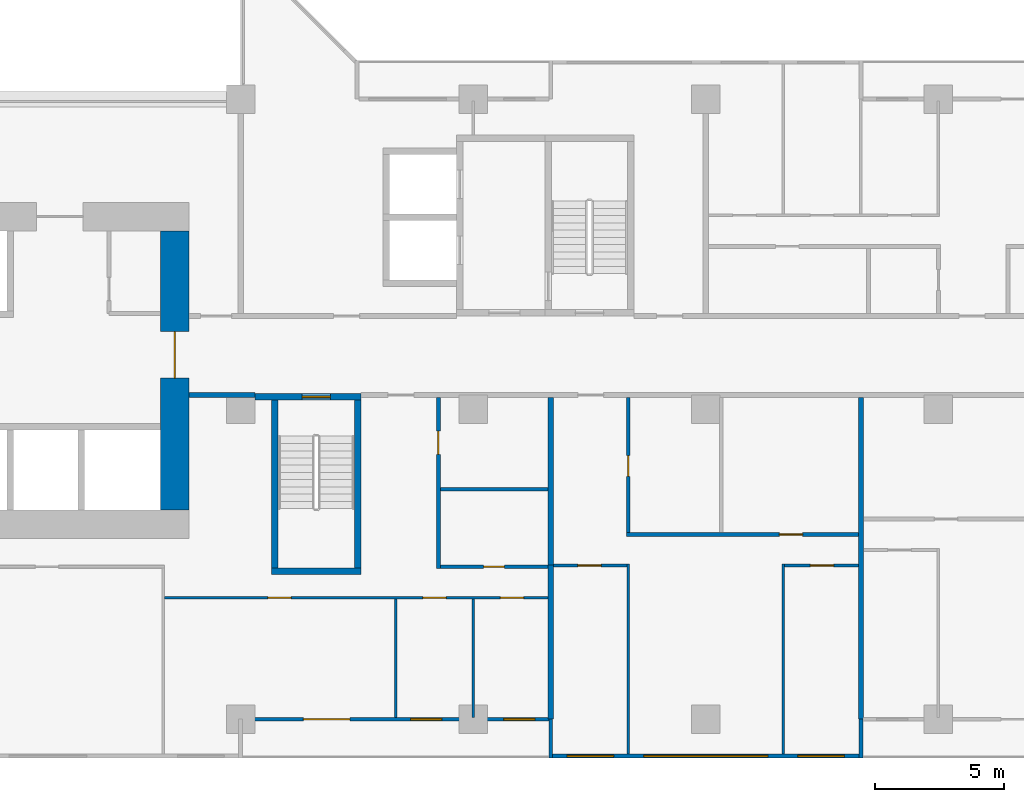
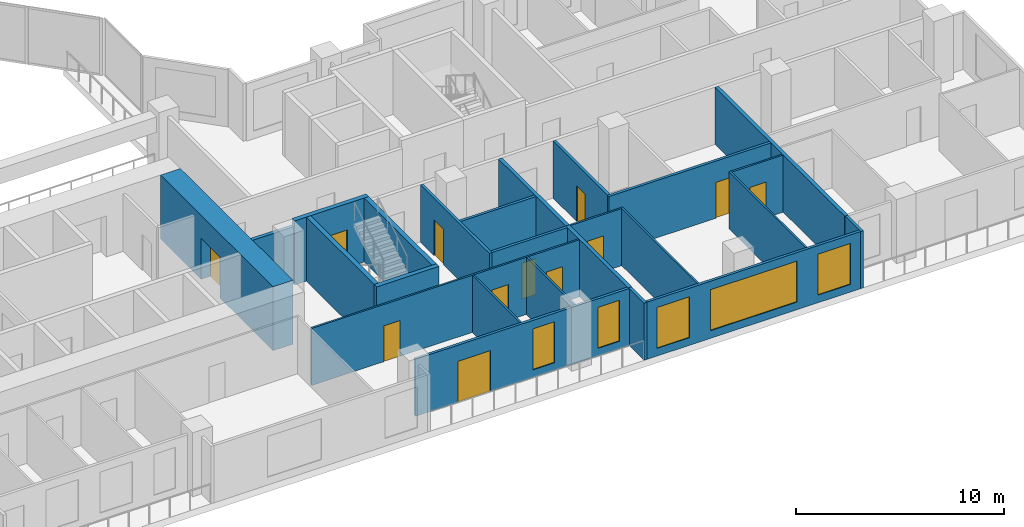
# One storey, part 6 of 15: 25 walls, 12 doors, 5 windows, 17 openings.
"""IFC4 building model written with IfcOpenShell, lengths in metres."""

from ifc_helpers import new_model, si_unit, direction, frame, frame_2d, origin, place, context, subcontext, project, spatial, rectangle, extrude, material, layer, layer_set, type_object, element, fill, save


model = new_model("IFC4")

# Units and contexts
model_context = context("Model", 3, precision=1e-05, world=origin(), true_north=direction((0.0, 1.0)))
body_context = subcontext(model_context, "Body", "Model", "MODEL_VIEW")
ifc_project = project(units=[si_unit("LENGTHUNIT", "METRE"), si_unit("AREAUNIT", "SQUARE_METRE"), si_unit("VOLUMEUNIT", "CUBIC_METRE"), si_unit("PLANEANGLEUNIT", "RADIAN"), si_unit("MASSUNIT", "GRAM", prefix="KILO")], contexts=[model_context])

# Site, building, storey
site_placement = place(None, origin())
site = spatial("IfcSite", under=ifc_project, at=site_placement, CompositionType="ELEMENT")
building_placement = place(site_placement, origin())
building = spatial("IfcBuilding", under=site, at=building_placement, Name="Chenar Terraces", CompositionType="ELEMENT")
storey_placement = place(building_placement, frame((0.0, 0.0, 60.14990234375)))
storey = spatial("IfcBuildingStorey", under=building, at=storey_placement, Name="L12", CompositionType="ELEMENT", Elevation=60.14990234375)

# Wall, opening, door
ifc_material_1 = material(Name="Concrete C70/85", Category="concrete")
ifc_layer_1 = layer(ifc_material_1, 1.10009765625)
ifc_layer_set_1 = layer_set([ifc_layer_1], Name="Concrete C70/85")
wall_type_1 = type_object("IfcWallType", Name="Core wall 1100 Concrete C70/85", PredefinedType="SHEAR", material=ifc_layer_set_1)
wall_1_placement = place(storey_placement, frame((33.449951171875, 8.10009765625, 0.0), z_axis=(0.0, 0.0, 1.0), x_axis=(0.0, 1.0, 0.0)))
wall_1 = element("IfcWall", 1, at=wall_1_placement, inside=storey, type_object=wall_type_1, Name="Core wall E L12", PredefinedType="SHEAR", context=body_context, shape_type="SweptSolid", body=[
    extrude(rectangle(XDim=10.7998046875, YDim=1.10009765625, at=frame_2d((5.39990234375, 0.0))), origin(), (0.0, 0.0, 1.0), 3.75),
])
opening_1_placement = place(wall_1_placement, frame((5.10009765625, 0.0, 0.0)))
opening_1 = element("IfcOpeningElement", 2, at=opening_1_placement, cuts=wall_1, Name="Opening DL12-C1", PredefinedType="OPENING", context=body_context, shape_type="SweptSolid", body=[
    extrude(rectangle(XDim=1.800048828125, YDim=2.39990234375, at=frame_2d((0.89990234375, 1.199951171875))), frame((0.0, 0.56005859375, 0.0), z_axis=(0.0, -1.0, 0.0), x_axis=(1.0, 0.0, 0.0)), (0.0, 0.0, 1.0), 1.1201171875),
])
ifc_material_2 = material(Name="Steel-framed fire-resisting door leaf", Category="steel")
door_type_1 = type_object("IfcDoorType", Name="Core entrance double fire door FD60 1800 x 2400", OperationType="DOUBLE_DOOR_SINGLE_SWING", PredefinedType="DOOR", material=ifc_material_2)
door_1_placement = place(opening_1_placement, origin())
door_1 = element("IfcDoor", 3, at=door_1_placement, inside=storey, type_object=door_type_1, Name="Core door DL12-C1", OperationType="DOUBLE_DOOR_SINGLE_SWING", OverallHeight=2.39990234375, OverallWidth=1.800048828125, PredefinedType="DOOR", context=body_context, shape_type="SweptSolid", body=[
    extrude(rectangle(XDim=1.800048828125, YDim=2.39990234375, at=frame_2d((0.89990234375, 1.199951171875))), frame((0.0, 0.02490234375, 0.0), z_axis=(0.0, -1.0, 0.0), x_axis=(1.0, 0.0, 0.0)), (0.0, 0.0, 1.0), 0.050048828125),
])
fill(opening_1, door_1)

# Wall
ifc_material_3 = material(Name="Concrete C70/85", Category="concrete")
ifc_layer_2 = layer(ifc_material_3, 0.25)
ifc_layer_set_2 = layer_set([ifc_layer_2], Name="Concrete C70/85")
wall_type_2 = type_object("IfcWallType", Name="Core wall 250 Concrete C70/85", PredefinedType="SHEAR", material=ifc_layer_set_2)
wall_2_placement = place(storey_placement, frame((37.199951171875, 5.72509765625, 0.0), z_axis=(0.0, 0.0, 1.0), x_axis=(1.0, 0.0, 0.0)))
element("IfcWall", 4, at=wall_2_placement, inside=storey, type_object=wall_type_2, Name="Core wall ST2_S L12", PredefinedType="SHEAR", context=body_context, shape_type="SweptSolid", body=[
    extrude(rectangle(XDim=3.449951171875, YDim=0.25, at=frame_2d((1.72509765625, 0.0))), origin(), (0.0, 0.0, 1.0), 3.75),
])

# Wall, opening, door
wall_3_placement = place(storey_placement, frame((36.550048828125, 12.47509765625, 0.0), z_axis=(0.0, 0.0, 1.0), x_axis=(1.0, 0.0, 0.0)))
wall_3 = element("IfcWall", 5, at=wall_3_placement, inside=storey, type_object=wall_type_2, Name="Core wall ST2_N L12", PredefinedType="SHEAR", context=body_context, shape_type="SweptSolid", body=[
    extrude(rectangle(XDim=4.099853515625, YDim=0.25, at=frame_2d((2.0498046875, 0.0))), origin(), (0.0, 0.0, 1.0), 3.75),
])
opening_2_placement = place(wall_3_placement, frame((1.824951171875, 0.0, 0.0)))
opening_2 = element("IfcOpeningElement", 6, at=opening_2_placement, cuts=wall_3, Name="Opening DL12-C7", PredefinedType="OPENING", context=body_context, shape_type="SweptSolid", body=[
    extrude(rectangle(XDim=1.10009765625, YDim=2.199951171875, at=frame_2d((0.550048828125, 1.10009765625))), frame((0.0, 0.135009765625, 0.0), z_axis=(0.0, -1.0, 0.0), x_axis=(1.0, 0.0, 0.0)), (0.0, 0.0, 1.0), 0.27001953125),
])
ifc_material_4 = material(Name="Steel-framed fire-resisting door leaf", Category="steel")
door_type_2 = type_object("IfcDoorType", Name="Stair fire door FD60 1100 x 2200", OperationType="SINGLE_SWING_LEFT", PredefinedType="DOOR", material=ifc_material_4)
door_2_placement = place(opening_2_placement, frame((1.10009765625, 0.0, 0.0), z_axis=(0.0, 0.0, 1.0), x_axis=(-1.0, 0.0, 0.0)))
door_2 = element("IfcDoor", 7, at=door_2_placement, inside=storey, type_object=door_type_2, Name="Stair door DL12-C7", OperationType="SINGLE_SWING_LEFT", OverallHeight=2.199951171875, OverallWidth=1.10009765625, PredefinedType="DOOR", context=body_context, shape_type="SweptSolid", body=[
    extrude(rectangle(XDim=1.10009765625, YDim=2.199951171875, at=frame_2d((0.550048828125, 1.10009765625))), frame((0.0, 0.02490234375, 0.0), z_axis=(0.0, -1.0, 0.0), x_axis=(1.0, 0.0, 0.0)), (0.0, 0.0, 1.0), 0.050048828125),
])
fill(opening_2, door_2)

# Walls
for number, where, z_axis, x_axis, name in (
    (8, (37.324951171875, 5.85009765625, 0.0), (0.0, 0.0, 1.0), (0.0, 1.0, 0.0), "Core wall ST2_W L12"),
    (9, (40.52490234375, 5.85009765625, 0.0), (0.0, 0.0, 1.0), (0.0, 1.0, 0.0), "Core wall ST2_E L12"),
):
    element("IfcWall", number, at=place(storey_placement, frame(where, z_axis=z_axis, x_axis=x_axis)), inside=storey, type_object=wall_type_2, Name=name, PredefinedType="SHEAR", context=body_context, shape_type="SweptSolid", body=[
        extrude(rectangle(XDim=6.5, YDim=0.25, at=frame_2d((3.25, 0.0))), origin(), (0.0, 0.0, 1.0), 3.75),
    ])
ifc_material_5 = material(Name="Gypsum board on steel studs with fire boards", Category="steel")
ifc_layer_3 = layer(ifc_material_5, 0.199951171875)
ifc_layer_set_3 = layer_set([ifc_layer_3], Name="Gypsum board on steel studs with fire boards")
wall_type_3 = type_object("IfcWallType", Name="Corridor wall 200", PredefinedType="PARTITIONING", material=ifc_layer_set_3)
wall_4_placement = place(storey_placement, frame((34.0, 12.550048828125, 0.0), z_axis=(0.0, 0.0, 1.0), x_axis=(1.0, 0.0, 0.0)))
element("IfcWall", 10, at=wall_4_placement, inside=storey, type_object=wall_type_3, Name="Partition L12-061", PredefinedType="PARTITIONING", context=body_context, shape_type="SweptSolid", body=[
    extrude(rectangle(XDim=2.551025390625, YDim=0.199951171875, at=frame_2d((1.275390625, 0.0))), origin(), (0.0, 0.0, 1.0), 3.35009765625),
])

# Wall, openings, windows
ifc_material_6 = material(Name="Aluminium framed glazing", Category="aluminium")
ifc_layer_4 = layer(ifc_material_6, 0.14990234375)
ifc_layer_set_4 = layer_set([ifc_layer_4], Name="Aluminium framed glazing")
wall_type_4 = type_object("IfcWallType", Name="Glazed flush facade wall 150", PredefinedType="SOLIDWALL", material=ifc_layer_set_4)
wall_5_placement = place(storey_placement, frame((48.074951171875, -1.425048828125, 0.0), z_axis=(0.0, 0.0, 1.0), x_axis=(1.0, 0.0, 0.0)))
wall_5 = element("IfcWall", 11, at=wall_5_placement, inside=storey, type_object=wall_type_4, Name="Glazed flush facade wall", PredefinedType="SOLIDWALL", context=body_context, shape_type="SweptSolid", body=[
    extrude(rectangle(XDim=11.85009765625, YDim=0.14990234375, at=frame_2d((5.925048828125, 0.0))), origin(), (0.0, 0.0, 1.0), 3.35009765625),
])
opening_3_placement = place(wall_5_placement, frame((0.5625, 0.0, 0.449951171875)))
opening_3 = element("IfcOpeningElement", 12, at=opening_3_placement, cuts=wall_5, Name="Opening W180x240", PredefinedType="OPENING", context=body_context, shape_type="SweptSolid", body=[
    extrude(rectangle(XDim=1.800048828125, YDim=2.39990234375, at=frame_2d((0.89990234375, 1.199951171875))), frame((0.0, 0.0849609375, 0.0), z_axis=(0.0, -1.0, 0.0), x_axis=(1.0, 0.0, 0.0)), (0.0, 0.0, 1.0), 0.169921875),
])
opening_4_placement = place(wall_5_placement, frame((3.52490234375, 0.0, 0.449951171875)))
opening_4 = element("IfcOpeningElement", 13, at=opening_4_placement, cuts=wall_5, Name="Opening W480x240", PredefinedType="OPENING", context=body_context, shape_type="SweptSolid", body=[
    extrude(rectangle(XDim=4.800048828125, YDim=2.39990234375, at=frame_2d((2.39990234375, 1.199951171875))), frame((0.0, 0.0849609375, 0.0), z_axis=(0.0, -1.0, 0.0), x_axis=(1.0, 0.0, 0.0)), (0.0, 0.0, 1.0), 0.169921875),
])
opening_5_placement = place(wall_5_placement, frame((9.487548828125, 0.0, 0.449951171875)))
opening_5 = element("IfcOpeningElement", 14, at=opening_5_placement, cuts=wall_5, Name="Opening W180x240", PredefinedType="OPENING", context=body_context, shape_type="SweptSolid", body=[
    extrude(rectangle(XDim=1.800048828125, YDim=2.39990234375, at=frame_2d((0.89990234375, 1.199951171875))), frame((0.0, 0.0849609375, 0.0), z_axis=(0.0, -1.0, 0.0), x_axis=(1.0, 0.0, 0.0)), (0.0, 0.0, 1.0), 0.169921875),
])
ifc_material_7 = material(Name="Low emissivity double glazing, aluminium frame", Category="aluminium")
window_type_1 = type_object("IfcWindowType", Name="Fixed light 1800 x 2400", PartitioningType="SINGLE_PANEL", PredefinedType="WINDOW", material=ifc_material_7)
window_1_placement = place(opening_3_placement, origin())
window_1 = element("IfcWindow", 15, at=window_1_placement, inside=storey, type_object=window_type_1, Name="Window", OverallHeight=2.39990234375, OverallWidth=1.800048828125, PartitioningType="SINGLE_PANEL", PredefinedType="WINDOW", context=body_context, shape_type="SweptSolid", body=[
    extrude(rectangle(XDim=1.800048828125, YDim=2.39990234375, at=frame_2d((0.89990234375, 1.199951171875))), frame((0.0, 0.030029296875, 0.0), z_axis=(0.0, -1.0, 0.0), x_axis=(1.0, 0.0, 0.0)), (0.0, 0.0, 1.0), 0.06005859375),
])
fill(opening_3, window_1)
window_2_placement = place(opening_5_placement, origin())
window_2 = element("IfcWindow", 16, at=window_2_placement, inside=storey, type_object=window_type_1, Name="Window", OverallHeight=2.39990234375, OverallWidth=1.800048828125, PartitioningType="SINGLE_PANEL", PredefinedType="WINDOW", context=body_context, shape_type="SweptSolid", body=[
    extrude(rectangle(XDim=1.800048828125, YDim=2.39990234375, at=frame_2d((0.89990234375, 1.199951171875))), frame((0.0, 0.030029296875, 0.0), z_axis=(0.0, -1.0, 0.0), x_axis=(1.0, 0.0, 0.0)), (0.0, 0.0, 1.0), 0.06005859375),
])
fill(opening_5, window_2)
ifc_material_8 = material(Name="Low emissivity double glazing, aluminium frame", Category="aluminium")
window_type_2 = type_object("IfcWindowType", Name="Fixed light 4800 x 2400", PartitioningType="SINGLE_PANEL", PredefinedType="WINDOW", material=ifc_material_8)
window_3_placement = place(opening_4_placement, origin())
window_3 = element("IfcWindow", 17, at=window_3_placement, inside=storey, type_object=window_type_2, Name="Window", OverallHeight=2.39990234375, OverallWidth=4.800048828125, PartitioningType="SINGLE_PANEL", PredefinedType="WINDOW", context=body_context, shape_type="SweptSolid", body=[
    extrude(rectangle(XDim=4.800048828125, YDim=2.39990234375, at=frame_2d((2.39990234375, 1.199951171875))), frame((0.0, 0.030029296875, 0.0), z_axis=(0.0, -1.0, 0.0), x_axis=(1.0, 0.0, 0.0)), (0.0, 0.0, 1.0), 0.06005859375),
])
fill(opening_4, window_3)

# Wall, openings, windows, door
ifc_material_9 = material(Name="Aluminium framed glazing", Category="aluminium")
ifc_layer_5 = layer(ifc_material_9, 0.14990234375)
ifc_layer_set_5 = layer_set([ifc_layer_5], Name="Aluminium framed glazing")
wall_type_5 = type_object("IfcWallType", Name="Glazed loggia back wall 150", PredefinedType="SOLIDWALL", material=ifc_layer_set_5)
wall_6_placement = place(storey_placement, frame((36.074951171875, 0.0, 0.0), z_axis=(0.0, 0.0, 1.0), x_axis=(1.0, 0.0, 0.0)))
wall_6 = element("IfcWall", 18, at=wall_6_placement, inside=storey, type_object=wall_type_5, Name="Glazed loggia back wall", PredefinedType="SOLIDWALL", context=body_context, shape_type="SweptSolid", body=[
    extrude(rectangle(XDim=11.85009765625, YDim=0.14990234375, at=frame_2d((5.925048828125, 0.0))), origin(), (0.0, 0.0, 1.0), 3.35009765625),
])
opening_6_placement = place(wall_6_placement, frame((2.35009765625, 0.0, 0.0)))
opening_6 = element("IfcOpeningElement", 19, at=opening_6_placement, cuts=wall_6, Name="Opening DL12-G6", PredefinedType="OPENING", context=body_context, shape_type="SweptSolid", body=[
    extrude(rectangle(XDim=1.800048828125, YDim=2.39990234375, at=frame_2d((0.89990234375, 1.199951171875))), frame((0.0, 0.0849609375, 0.0), z_axis=(0.0, -1.0, 0.0), x_axis=(1.0, 0.0, 0.0)), (0.0, 0.0, 1.0), 0.169921875),
])
opening_7_placement = place(wall_6_placement, frame((6.5, 0.0, 0.449951171875)))
opening_7 = element("IfcOpeningElement", 20, at=opening_7_placement, cuts=wall_6, Name="Opening W120x240", PredefinedType="OPENING", context=body_context, shape_type="SweptSolid", body=[
    extrude(rectangle(XDim=1.199951171875, YDim=2.39990234375, at=frame_2d((0.60009765625, 1.199951171875))), frame((0.0, 0.0849609375, 0.0), z_axis=(0.0, -1.0, 0.0), x_axis=(1.0, 0.0, 0.0)), (0.0, 0.0, 1.0), 0.169921875),
])
opening_8_placement = place(wall_6_placement, frame((10.112548828125, 0.0, 0.449951171875)))
opening_8 = element("IfcOpeningElement", 21, at=opening_8_placement, cuts=wall_6, Name="Opening W120x240", PredefinedType="OPENING", context=body_context, shape_type="SweptSolid", body=[
    extrude(rectangle(XDim=1.199951171875, YDim=2.39990234375, at=frame_2d((0.60009765625, 1.199951171875))), frame((0.0, 0.0849609375, 0.0), z_axis=(0.0, -1.0, 0.0), x_axis=(1.0, 0.0, 0.0)), (0.0, 0.0, 1.0), 0.169921875),
])
ifc_material_10 = material(Name="Low emissivity double glazing, aluminium frame", Category="aluminium")
window_type_3 = type_object("IfcWindowType", Name="Fixed light 1200 x 2400", PartitioningType="SINGLE_PANEL", PredefinedType="WINDOW", material=ifc_material_10)
window_4_placement = place(opening_7_placement, origin())
window_4 = element("IfcWindow", 22, at=window_4_placement, inside=storey, type_object=window_type_3, Name="Window", OverallHeight=2.39990234375, OverallWidth=1.199951171875, PartitioningType="SINGLE_PANEL", PredefinedType="WINDOW", context=body_context, shape_type="SweptSolid", body=[
    extrude(rectangle(XDim=1.199951171875, YDim=2.39990234375, at=frame_2d((0.60009765625, 1.199951171875))), frame((0.0, 0.030029296875, 0.0), z_axis=(0.0, -1.0, 0.0), x_axis=(1.0, 0.0, 0.0)), (0.0, 0.0, 1.0), 0.06005859375),
])
fill(opening_7, window_4)
window_5_placement = place(opening_8_placement, origin())
window_5 = element("IfcWindow", 23, at=window_5_placement, inside=storey, type_object=window_type_3, Name="Window", OverallHeight=2.39990234375, OverallWidth=1.199951171875, PartitioningType="SINGLE_PANEL", PredefinedType="WINDOW", context=body_context, shape_type="SweptSolid", body=[
    extrude(rectangle(XDim=1.199951171875, YDim=2.39990234375, at=frame_2d((0.60009765625, 1.199951171875))), frame((0.0, 0.030029296875, 0.0), z_axis=(0.0, -1.0, 0.0), x_axis=(1.0, 0.0, 0.0)), (0.0, 0.0, 1.0), 0.06005859375),
])
fill(opening_8, window_5)
ifc_material_11 = material(Name="Low emissivity double glazing, aluminium frame", Category="aluminium")
door_type_3 = type_object("IfcDoorType", Name="Loggia glazed double door 1800 x 2400", OperationType="DOUBLE_DOOR_SINGLE_SWING", PredefinedType="DOOR", material=ifc_material_11)
door_3_placement = place(opening_6_placement, frame((1.800048828125, 0.0, 0.0), z_axis=(0.0, 0.0, 1.0), x_axis=(-1.0, 0.0, 0.0)))
door_3 = element("IfcDoor", 24, at=door_3_placement, inside=storey, type_object=door_type_3, Name="Loggia glazed door", OperationType="DOUBLE_DOOR_SINGLE_SWING", OverallHeight=2.39990234375, OverallWidth=1.800048828125, PredefinedType="DOOR", context=body_context, shape_type="SweptSolid", body=[
    extrude(rectangle(XDim=1.800048828125, YDim=2.39990234375, at=frame_2d((0.89990234375, 1.199951171875))), frame((0.0, 0.02490234375, 0.0), z_axis=(0.0, -1.0, 0.0), x_axis=(1.0, 0.0, 0.0)), (0.0, 0.0, 1.0), 0.050048828125),
])
fill(opening_6, door_3)

# Wall, openings, doors
ifc_material_12 = material(Name="Gypsum board on steel studs", Category="steel")
ifc_layer_6 = layer(ifc_material_12, 0.10009765625)
ifc_layer_set_6 = layer_set([ifc_layer_6], Name="Gypsum board on steel studs")
wall_type_6 = type_object("IfcWallType", Name="Gypsum partition 100", PredefinedType="PARTITIONING", material=ifc_layer_set_6)
wall_7_placement = place(storey_placement, frame((33.050048828125, 4.699951171875, 0.0), z_axis=(0.0, 0.0, 1.0), x_axis=(1.0, 0.0, 0.0)))
wall_7 = element("IfcWall", 25, at=wall_7_placement, inside=storey, type_object=wall_type_6, Name="Partition L12-060", PredefinedType="PARTITIONING", context=body_context, shape_type="SweptSolid", body=[
    extrude(rectangle(XDim=14.849853515625, YDim=0.10009765625, at=frame_2d((7.4248046875, 0.0))), origin(), (0.0, 0.0, 1.0), 3.35009765625),
])
opening_9_placement = place(wall_7_placement, frame((10.0, 0.0, 0.0)))
opening_9 = element("IfcOpeningElement", 26, at=opening_9_placement, cuts=wall_7, Name="Opening DL12-60", PredefinedType="OPENING", context=body_context, shape_type="SweptSolid", body=[
    extrude(rectangle(XDim=0.89990234375, YDim=2.10009765625, at=frame_2d((0.449951171875, 1.050048828125))), frame((0.0, 0.06005859375, 0.0), z_axis=(0.0, -1.0, 0.0), x_axis=(1.0, 0.0, 0.0)), (0.0, 0.0, 1.0), 0.1201171875),
])
opening_10_placement = place(wall_7_placement, frame((13.0, 0.0, 0.0)))
opening_10 = element("IfcOpeningElement", 27, at=opening_10_placement, cuts=wall_7, Name="Opening DL12-61", PredefinedType="OPENING", context=body_context, shape_type="SweptSolid", body=[
    extrude(rectangle(XDim=0.89990234375, YDim=2.10009765625, at=frame_2d((0.449951171875, 1.050048828125))), frame((0.0, 0.06005859375, 0.0), z_axis=(0.0, -1.0, 0.0), x_axis=(1.0, 0.0, 0.0)), (0.0, 0.0, 1.0), 0.1201171875),
])
opening_11_placement = place(wall_7_placement, frame((4.0, 0.0, 0.0)))
opening_11 = element("IfcOpeningElement", 28, at=opening_11_placement, cuts=wall_7, Name="Opening DL12-67", PredefinedType="OPENING", context=body_context, shape_type="SweptSolid", body=[
    extrude(rectangle(XDim=0.89990234375, YDim=2.10009765625, at=frame_2d((0.449951171875, 1.050048828125))), frame((0.0, 0.06005859375, 0.0), z_axis=(0.0, -1.0, 0.0), x_axis=(1.0, 0.0, 0.0)), (0.0, 0.0, 1.0), 0.1201171875),
])
ifc_material_13 = material(Name="Veneered timber door leaf", Category="wood")
door_type_4 = type_object("IfcDoorType", Name="Door 900 x 2100", OperationType="SINGLE_SWING_LEFT", PredefinedType="DOOR", material=ifc_material_13)
door_4_placement = place(opening_9_placement, frame((0.89990234375, 0.0, 0.0), z_axis=(0.0, 0.0, 1.0), x_axis=(-1.0, 0.0, 0.0)))
door_4 = element("IfcDoor", 29, at=door_4_placement, inside=storey, type_object=door_type_4, Name="Door DL12-60", OperationType="SINGLE_SWING_LEFT", OverallHeight=2.10009765625, OverallWidth=0.89990234375, PredefinedType="DOOR", context=body_context, shape_type="SweptSolid", body=[
    extrude(rectangle(XDim=0.89990234375, YDim=2.10009765625, at=frame_2d((0.449951171875, 1.050048828125))), frame((0.0, 0.02490234375, 0.0), z_axis=(0.0, -1.0, 0.0), x_axis=(1.0, 0.0, 0.0)), (0.0, 0.0, 1.0), 0.050048828125),
])
fill(opening_9, door_4)
door_5_placement = place(opening_10_placement, frame((0.89990234375, 0.0, 0.0), z_axis=(0.0, 0.0, 1.0), x_axis=(-1.0, 0.0, 0.0)))
door_5 = element("IfcDoor", 30, at=door_5_placement, inside=storey, type_object=door_type_4, Name="Door DL12-61", OperationType="SINGLE_SWING_LEFT", OverallHeight=2.10009765625, OverallWidth=0.89990234375, PredefinedType="DOOR", context=body_context, shape_type="SweptSolid", body=[
    extrude(rectangle(XDim=0.89990234375, YDim=2.10009765625, at=frame_2d((0.449951171875, 1.050048828125))), frame((0.0, 0.02490234375, 0.0), z_axis=(0.0, -1.0, 0.0), x_axis=(1.0, 0.0, 0.0)), (0.0, 0.0, 1.0), 0.050048828125),
])
fill(opening_10, door_5)
door_6_placement = place(opening_11_placement, frame((0.89990234375, 0.0, 0.0), z_axis=(0.0, 0.0, 1.0), x_axis=(-1.0, 0.0, 0.0)))
door_6 = element("IfcDoor", 31, at=door_6_placement, inside=storey, type_object=door_type_4, Name="Door DL12-67", OperationType="SINGLE_SWING_LEFT", OverallHeight=2.10009765625, OverallWidth=0.89990234375, PredefinedType="DOOR", context=body_context, shape_type="SweptSolid", body=[
    extrude(rectangle(XDim=0.89990234375, YDim=2.10009765625, at=frame_2d((0.449951171875, 1.050048828125))), frame((0.0, 0.02490234375, 0.0), z_axis=(0.0, -1.0, 0.0), x_axis=(1.0, 0.0, 0.0)), (0.0, 0.0, 1.0), 0.050048828125),
])
fill(opening_11, door_6)

# Walls
for number, where, z_axis, x_axis, name in (
    (32, (42.0, 0.073974609375, 0.0), (0.0, 0.0, 1.0), (0.0, 1.0, 0.0), "Partition L12-065"),
    (33, (45.0, 0.073974609375, 0.0), (0.0, 0.0, 1.0), (0.0, 1.0, 0.0), "Partition L12-069"),
):
    element("IfcWall", number, at=place(storey_placement, frame(where, z_axis=z_axis, x_axis=x_axis)), inside=storey, type_object=wall_type_6, Name=name, PredefinedType="PARTITIONING", context=body_context, shape_type="SweptSolid", body=[
        extrude(rectangle(XDim=4.575927734375, YDim=0.10009765625, at=frame_2d((2.2880859375, 0.0))), origin(), (0.0, 0.0, 1.0), 3.35009765625),
    ])

# Wall, opening, door
wall_8_placement = place(storey_placement, frame((48.10009765625, 5.949951171875, 0.0), z_axis=(0.0, 0.0, 1.0), x_axis=(1.0, 0.0, 0.0)))
wall_8 = element("IfcWall", 34, at=wall_8_placement, inside=storey, type_object=wall_type_6, Name="Partition L12-073", PredefinedType="PARTITIONING", context=body_context, shape_type="SweptSolid", body=[
    extrude(rectangle(XDim=2.849853515625, YDim=0.10009765625, at=frame_2d((1.4248046875, 0.0))), origin(), (0.0, 0.0, 1.0), 3.35009765625),
])
opening_12_placement = place(wall_8_placement, frame((0.949951171875, 0.0, 0.0)))
opening_12 = element("IfcOpeningElement", 35, at=opening_12_placement, cuts=wall_8, Name="Opening DL12-14", PredefinedType="OPENING", context=body_context, shape_type="SweptSolid", body=[
    extrude(rectangle(XDim=0.89990234375, YDim=2.10009765625, at=frame_2d((0.449951171875, 1.050048828125))), frame((0.0, 0.06005859375, 0.0), z_axis=(0.0, -1.0, 0.0), x_axis=(1.0, 0.0, 0.0)), (0.0, 0.0, 1.0), 0.1201171875),
])
door_7_placement = place(opening_12_placement, frame((0.89990234375, 0.0, 0.0), z_axis=(0.0, 0.0, 1.0), x_axis=(-1.0, 0.0, 0.0)))
door_7 = element("IfcDoor", 36, at=door_7_placement, inside=storey, type_object=door_type_4, Name="Door DL12-14", OperationType="SINGLE_SWING_LEFT", OverallHeight=2.10009765625, OverallWidth=0.89990234375, PredefinedType="DOOR", context=body_context, shape_type="SweptSolid", body=[
    extrude(rectangle(XDim=0.89990234375, YDim=2.10009765625, at=frame_2d((0.449951171875, 1.050048828125))), frame((0.0, 0.02490234375, 0.0), z_axis=(0.0, -1.0, 0.0), x_axis=(1.0, 0.0, 0.0)), (0.0, 0.0, 1.0), 0.050048828125),
])
fill(opening_12, door_7)

# Walls
for number, where, z_axis, x_axis, name in (
    (37, (51.0, -1.35009765625, 0.0), (0.0, 0.0, 1.0), (0.0, 1.0, 0.0), "Partition L12-075"),
    (38, (57.0, -1.35009765625, 0.0), (0.0, 0.0, 1.0), (0.0, 1.0, 0.0), "Partition L12-082"),
):
    element("IfcWall", number, at=place(storey_placement, frame(where, z_axis=z_axis, x_axis=x_axis)), inside=storey, type_object=wall_type_6, Name=name, PredefinedType="PARTITIONING", context=body_context, shape_type="SweptSolid", body=[
        extrude(rectangle(XDim=7.35009765625, YDim=0.10009765625, at=frame_2d((3.675048828125, 0.0))), origin(), (0.0, 0.0, 1.0), 3.35009765625),
    ])

# Wall, opening, door
wall_9_placement = place(storey_placement, frame((57.050048828125, 5.949951171875, 0.0), z_axis=(0.0, 0.0, 1.0), x_axis=(1.0, 0.0, 0.0)))
wall_9 = element("IfcWall", 39, at=wall_9_placement, inside=storey, type_object=wall_type_6, Name="Partition L12-084", PredefinedType="PARTITIONING", context=body_context, shape_type="SweptSolid", body=[
    extrude(rectangle(XDim=2.849853515625, YDim=0.10009765625, at=frame_2d((1.4248046875, 0.0))), origin(), (0.0, 0.0, 1.0), 3.35009765625),
])
opening_13_placement = place(wall_9_placement, frame((1.0, 0.0, 0.0)))
opening_13 = element("IfcOpeningElement", 40, at=opening_13_placement, cuts=wall_9, Name="Opening DL12-15", PredefinedType="OPENING", context=body_context, shape_type="SweptSolid", body=[
    extrude(rectangle(XDim=0.89990234375, YDim=2.10009765625, at=frame_2d((0.449951171875, 1.050048828125))), frame((0.0, 0.06005859375, 0.0), z_axis=(0.0, -1.0, 0.0), x_axis=(1.0, 0.0, 0.0)), (0.0, 0.0, 1.0), 0.1201171875),
])
door_8_placement = place(opening_13_placement, frame((0.89990234375, 0.0, 0.0), z_axis=(0.0, 0.0, 1.0), x_axis=(-1.0, 0.0, 0.0)))
door_8 = element("IfcDoor", 41, at=door_8_placement, inside=storey, type_object=door_type_4, Name="Door DL12-15", OperationType="SINGLE_SWING_LEFT", OverallHeight=2.10009765625, OverallWidth=0.89990234375, PredefinedType="DOOR", context=body_context, shape_type="SweptSolid", body=[
    extrude(rectangle(XDim=0.89990234375, YDim=2.10009765625, at=frame_2d((0.449951171875, 1.050048828125))), frame((0.0, 0.02490234375, 0.0), z_axis=(0.0, -1.0, 0.0), x_axis=(1.0, 0.0, 0.0)), (0.0, 0.0, 1.0), 0.050048828125),
])
fill(opening_13, door_8)

# Walls
ifc_material_14 = material(Name="Terracotta cladding on insulated backing", Category="masonry")
ifc_layer_7 = layer(ifc_material_14, 0.14990234375)
ifc_layer_set_7 = layer_set([ifc_layer_7], Name="Terracotta cladding on insulated backing")
wall_type_7 = type_object("IfcWallType", Name="Loggia return wall 150", PredefinedType="SOLIDWALL", material=ifc_layer_set_7)
for number, where, z_axis, x_axis, name in (
    (42, (48.0, -1.5, 0.0), (0.0, 0.0, 1.0), (0.0, 1.0, 0.0), "Loggia return wall"),
    (43, (60.0, -1.5, 0.0), (0.0, 0.0, 1.0), (0.0, 1.0, 0.0), "Loggia return wall"),
):
    element("IfcWall", number, at=place(storey_placement, frame(where, z_axis=z_axis, x_axis=x_axis)), inside=storey, type_object=wall_type_7, Name=name, PredefinedType="SOLIDWALL", context=body_context, shape_type="SweptSolid", body=[
        extrude(rectangle(XDim=1.5, YDim=0.14990234375, at=frame_2d((0.75, 0.0))), origin(), (0.0, 0.0, 1.0), 3.35009765625),
    ])
ifc_material_15 = material(Name="Twin gypsum board on steel studs with mineral wool", Category="steel")
ifc_layer_8 = layer(ifc_material_15, 0.199951171875)
ifc_layer_set_8 = layer_set([ifc_layer_8], Name="Twin gypsum board on steel studs with mineral wool")
wall_type_8 = type_object("IfcWallType", Name="Unit demising wall 200", PredefinedType="PARTITIONING", material=ifc_layer_set_8)
wall_10_placement = place(storey_placement, frame((48.0, 0.0, 0.0), z_axis=(0.0, 0.0, 1.0), x_axis=(0.0, 1.0, 0.0)))
element("IfcWall", 44, at=wall_10_placement, inside=storey, type_object=wall_type_8, Name="Partition L12-071", PredefinedType="PARTITIONING", context=body_context, shape_type="SweptSolid", body=[
    extrude(rectangle(XDim=5.97509765625, YDim=0.199951171875, at=frame_2d((2.987548828125, 0.0))), origin(), (0.0, 0.0, 1.0), 3.35009765625),
])
wall_11_placement = place(storey_placement, frame((48.0, 5.89990234375, 0.0), z_axis=(0.0, 0.0, 1.0), x_axis=(0.0, 1.0, 0.0)))
element("IfcWall", 45, at=wall_11_placement, inside=storey, type_object=wall_type_8, Name="Partition L12-072", PredefinedType="PARTITIONING", context=body_context, shape_type="SweptSolid", body=[
    extrude(rectangle(XDim=6.550048828125, YDim=0.199951171875, at=frame_2d((3.27490234375, 0.0))), origin(), (0.0, 0.0, 1.0), 3.35009765625),
])
wall_12_placement = place(storey_placement, frame((60.0, 0.0, 0.0), z_axis=(0.0, 0.0, 1.0), x_axis=(0.0, 1.0, 0.0)))
element("IfcWall", 46, at=wall_12_placement, inside=storey, type_object=wall_type_8, Name="Partition L12-085", PredefinedType="PARTITIONING", context=body_context, shape_type="SweptSolid", body=[
    extrude(rectangle(XDim=12.449951171875, YDim=0.199951171875, at=frame_2d((6.22509765625, 0.0))), origin(), (0.0, 0.0, 1.0), 3.35009765625),
])

# Wall, opening, door
ifc_material_16 = material(Name="Moisture-resistant gypsum board on steel studs", Category="steel")
ifc_layer_9 = layer(ifc_material_16, 0.14990234375)
ifc_layer_set_9 = layer_set([ifc_layer_9], Name="Moisture-resistant gypsum board on steel studs")
wall_type_9 = type_object("IfcWallType", Name="Wet-room partition 150", PredefinedType="PARTITIONING", material=ifc_layer_set_9)
wall_13_placement = place(storey_placement, frame((43.64990234375, 5.824951171875, 0.0), z_axis=(0.0, 0.0, 1.0), x_axis=(0.0, 1.0, 0.0)))
wall_13 = element("IfcWall", 47, at=wall_13_placement, inside=storey, type_object=wall_type_9, Name="Partition L12-066", PredefinedType="PARTITIONING", context=body_context, shape_type="SweptSolid", body=[
    extrude(rectangle(XDim=6.625, YDim=0.14990234375, at=frame_2d((3.3125, 0.0))), origin(), (0.0, 0.0, 1.0), 3.35009765625),
])
opening_14_placement = place(wall_13_placement, frame((4.425048828125, 0.0, 0.0)))
opening_14 = element("IfcOpeningElement", 48, at=opening_14_placement, cuts=wall_13, Name="Opening DL12-65", PredefinedType="OPENING", context=body_context, shape_type="SweptSolid", body=[
    extrude(rectangle(XDim=0.89990234375, YDim=2.10009765625, at=frame_2d((0.449951171875, 1.050048828125))), frame((0.0, 0.0849609375, 0.0), z_axis=(0.0, -1.0, 0.0), x_axis=(1.0, 0.0, 0.0)), (0.0, 0.0, 1.0), 0.169921875),
])
door_9_placement = place(opening_14_placement, frame((0.89990234375, 0.0, 0.0), z_axis=(0.0, 0.0, 1.0), x_axis=(-1.0, 0.0, 0.0)))
door_9 = element("IfcDoor", 49, at=door_9_placement, inside=storey, type_object=door_type_4, Name="Door DL12-65", OperationType="SINGLE_SWING_LEFT", OverallHeight=2.10009765625, OverallWidth=0.89990234375, PredefinedType="DOOR", context=body_context, shape_type="SweptSolid", body=[
    extrude(rectangle(XDim=0.89990234375, YDim=2.10009765625, at=frame_2d((0.449951171875, 1.050048828125))), frame((0.0, 0.02490234375, 0.0), z_axis=(0.0, -1.0, 0.0), x_axis=(1.0, 0.0, 0.0)), (0.0, 0.0, 1.0), 0.050048828125),
])
fill(opening_14, door_9)

wall_14_placement = place(storey_placement, frame((43.72509765625, 5.89990234375, 0.0), z_axis=(0.0, 0.0, 1.0), x_axis=(1.0, 0.0, 0.0)))
wall_14 = element("IfcWall", 50, at=wall_14_placement, inside=storey, type_object=wall_type_9, Name="Partition L12-067", PredefinedType="PARTITIONING", context=body_context, shape_type="SweptSolid", body=[
    extrude(rectangle(XDim=4.1748046875, YDim=0.14990234375, at=frame_2d((2.08740234375, 0.0))), origin(), (0.0, 0.0, 1.0), 3.35009765625),
])
opening_15_placement = place(wall_14_placement, frame((1.675048828125, 0.0, 0.0)))
opening_15 = element("IfcOpeningElement", 51, at=opening_15_placement, cuts=wall_14, Name="Opening DL12-55", PredefinedType="OPENING", context=body_context, shape_type="SweptSolid", body=[
    extrude(rectangle(XDim=0.800048828125, YDim=2.10009765625, at=frame_2d((0.39990234375, 1.050048828125))), frame((0.0, 0.0849609375, 0.0), z_axis=(0.0, -1.0, 0.0), x_axis=(1.0, 0.0, 0.0)), (0.0, 0.0, 1.0), 0.169921875),
])
ifc_material_17 = material(Name="Veneered timber door leaf", Category="wood")
door_type_5 = type_object("IfcDoorType", Name="Door 800 x 2100", OperationType="SINGLE_SWING_LEFT", PredefinedType="DOOR", material=ifc_material_17)
door_10_placement = place(opening_15_placement, origin())
door_10 = element("IfcDoor", 52, at=door_10_placement, inside=storey, type_object=door_type_5, Name="Door DL12-55", OperationType="SINGLE_SWING_LEFT", OverallHeight=2.10009765625, OverallWidth=0.800048828125, PredefinedType="DOOR", context=body_context, shape_type="SweptSolid", body=[
    extrude(rectangle(XDim=0.800048828125, YDim=2.10009765625, at=frame_2d((0.39990234375, 1.050048828125))), frame((0.0, 0.02490234375, 0.0), z_axis=(0.0, -1.0, 0.0), x_axis=(1.0, 0.0, 0.0)), (0.0, 0.0, 1.0), 0.050048828125),
])
fill(opening_15, door_10)

# Wall
wall_15_placement = place(storey_placement, frame((43.72509765625, 8.89990234375, 0.0), z_axis=(0.0, 0.0, 1.0), x_axis=(1.0, 0.0, 0.0)))
element("IfcWall", 53, at=wall_15_placement, inside=storey, type_object=wall_type_9, Name="Partition L12-068", PredefinedType="PARTITIONING", context=body_context, shape_type="SweptSolid", body=[
    extrude(rectangle(XDim=4.1748046875, YDim=0.14990234375, at=frame_2d((2.08740234375, 0.0))), origin(), (0.0, 0.0, 1.0), 3.35009765625),
])

# Wall, opening, door
wall_16_placement = place(storey_placement, frame((50.925048828125, 7.14990234375, 0.0), z_axis=(0.0, 0.0, 1.0), x_axis=(1.0, 0.0, 0.0)))
wall_16 = element("IfcWall", 54, at=wall_16_placement, inside=storey, type_object=wall_type_9, Name="Partition L12-074", PredefinedType="PARTITIONING", context=body_context, shape_type="SweptSolid", body=[
    extrude(rectangle(XDim=8.974853515625, YDim=0.14990234375, at=frame_2d((4.4873046875, 0.0))), origin(), (0.0, 0.0, 1.0), 3.35009765625),
])
opening_16_placement = place(wall_16_placement, frame((5.925048828125, 0.0, 0.0)))
opening_16 = element("IfcOpeningElement", 55, at=opening_16_placement, cuts=wall_16, Name="Opening DL12-16", PredefinedType="OPENING", context=body_context, shape_type="SweptSolid", body=[
    extrude(rectangle(XDim=0.89990234375, YDim=2.10009765625, at=frame_2d((0.449951171875, 1.050048828125))), frame((0.0, 0.0849609375, 0.0), z_axis=(0.0, -1.0, 0.0), x_axis=(1.0, 0.0, 0.0)), (0.0, 0.0, 1.0), 0.169921875),
])
door_11_placement = place(opening_16_placement, origin())
door_11 = element("IfcDoor", 56, at=door_11_placement, inside=storey, type_object=door_type_4, Name="Door DL12-16", OperationType="SINGLE_SWING_LEFT", OverallHeight=2.10009765625, OverallWidth=0.89990234375, PredefinedType="DOOR", context=body_context, shape_type="SweptSolid", body=[
    extrude(rectangle(XDim=0.89990234375, YDim=2.10009765625, at=frame_2d((0.449951171875, 1.050048828125))), frame((0.0, 0.02490234375, 0.0), z_axis=(0.0, -1.0, 0.0), x_axis=(1.0, 0.0, 0.0)), (0.0, 0.0, 1.0), 0.050048828125),
])
fill(opening_16, door_11)

wall_17_placement = place(storey_placement, frame((51.0, 7.22509765625, 0.0), z_axis=(0.0, 0.0, 1.0), x_axis=(0.0, 1.0, 0.0)))
wall_17 = element("IfcWall", 57, at=wall_17_placement, inside=storey, type_object=wall_type_9, Name="Partition L12-076", PredefinedType="PARTITIONING", context=body_context, shape_type="SweptSolid", body=[
    extrude(rectangle(XDim=5.224853515625, YDim=0.14990234375, at=frame_2d((2.6123046875, 0.0))), origin(), (0.0, 0.0, 1.0), 3.35009765625),
])
opening_17_placement = place(wall_17_placement, frame((2.175048828125, 0.0, 0.0)))
opening_17 = element("IfcOpeningElement", 58, at=opening_17_placement, cuts=wall_17, Name="Opening DL12-13", PredefinedType="OPENING", context=body_context, shape_type="SweptSolid", body=[
    extrude(rectangle(XDim=0.800048828125, YDim=2.10009765625, at=frame_2d((0.39990234375, 1.050048828125))), frame((0.0, 0.0849609375, 0.0), z_axis=(0.0, -1.0, 0.0), x_axis=(1.0, 0.0, 0.0)), (0.0, 0.0, 1.0), 0.169921875),
])
door_12_placement = place(opening_17_placement, frame((0.800048828125, 0.0, 0.0), z_axis=(0.0, 0.0, 1.0), x_axis=(-1.0, 0.0, 0.0)))
door_12 = element("IfcDoor", 59, at=door_12_placement, inside=storey, type_object=door_type_5, Name="Door DL12-13", OperationType="SINGLE_SWING_LEFT", OverallHeight=2.10009765625, OverallWidth=0.800048828125, PredefinedType="DOOR", context=body_context, shape_type="SweptSolid", body=[
    extrude(rectangle(XDim=0.800048828125, YDim=2.10009765625, at=frame_2d((0.39990234375, 1.050048828125))), frame((0.0, 0.02490234375, 0.0), z_axis=(0.0, -1.0, 0.0), x_axis=(1.0, 0.0, 0.0)), (0.0, 0.0, 1.0), 0.050048828125),
])
fill(opening_17, door_12)

save(model, "model.ifc")
